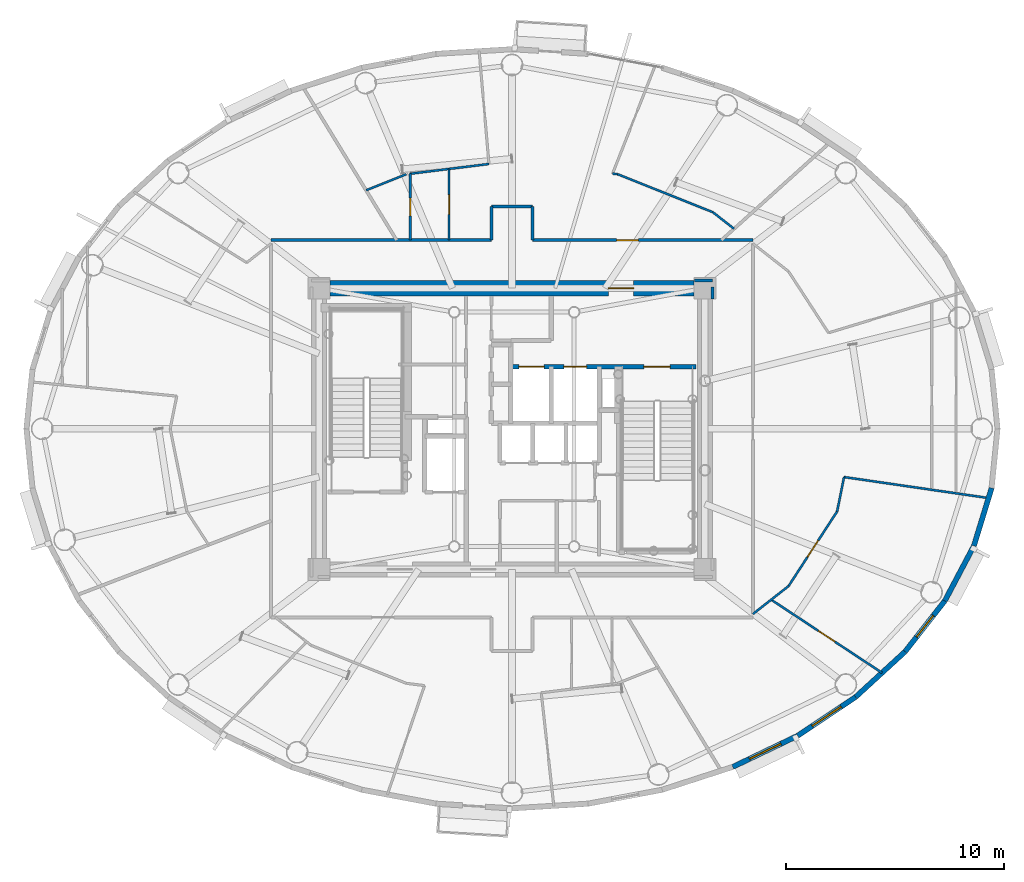
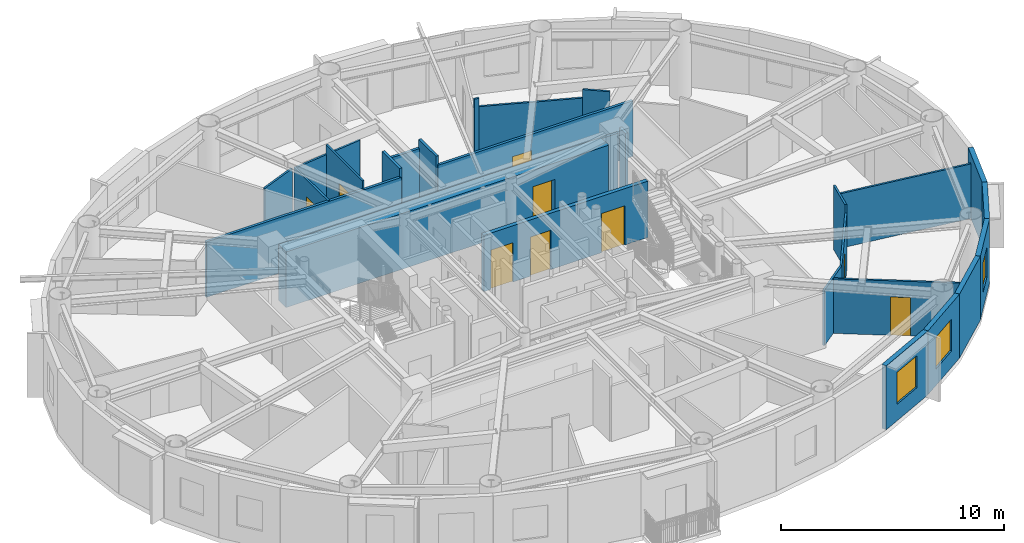
# One storey, part 10 of 20: 27 walls, 9 doors, 3 windows, 12 openings.
"""IFC4 building model written with IfcOpenShell, lengths in metres."""

from ifc_helpers import new_model, si_unit, direction, frame, frame_2d, origin, origin_2d, place, context, subcontext, project, spatial, rectangle, extrude, source, transform, mapped, material, layer, layer_set, type_object, element, fill, save


model = new_model("IFC4")

# Units and contexts
model_context = context("Model", 3, precision=1e-05, world=origin(), true_north=direction((0.0, 1.0)))
body_context = subcontext(model_context, "Body", "Model", "MODEL_VIEW")
ifc_project = project(units=[si_unit("LENGTHUNIT", "METRE"), si_unit("AREAUNIT", "SQUARE_METRE"), si_unit("VOLUMEUNIT", "CUBIC_METRE"), si_unit("PLANEANGLEUNIT", "RADIAN"), si_unit("MASSUNIT", "GRAM", prefix="KILO")], contexts=[model_context])

# Site, building, storey
site_placement = place(None, origin())
site = spatial("IfcSite", under=ifc_project, at=site_placement, CompositionType="ELEMENT")
building_placement = place(site_placement, origin())
building = spatial("IfcBuilding", under=site, at=building_placement, Name="Linh Dai School and Residence Tower", CompositionType="ELEMENT")
storey_placement = place(building_placement, frame((0.0, 0.0, 288.0)))
storey = spatial("IfcBuildingStorey", under=building, at=storey_placement, Name="L71", CompositionType="ELEMENT", Elevation=288.0)

# Wall, opening, window
ifc_material_1 = material(Name="Precast Concrete B45 (C35/45)", Category="concrete")
ifc_layer_1 = layer(ifc_material_1, 0.239990234375)
ifc_layer_set_1 = layer_set([ifc_layer_1], Name="Precast Concrete B45 (C35/45)")
wall_type_1 = type_object("IfcWallType", Name="EW-TC-240", PredefinedType="SOLIDWALL", material=ifc_layer_set_1)
wall_1_placement = place(storey_placement, frame((49.1044921875, 12.91845703125, 0.0), z_axis=(0.0, 0.0, 1.0), x_axis=(-0.901573741254, -0.43262546051, 0.0)))
wall_1 = element("IfcWall", 1, at=wall_1_placement, inside=storey, type_object=wall_type_1, Name="L71 Terracotta Exterior Wall 34", PredefinedType="SOLIDWALL", context=body_context, shape_type="SweptSolid", body=[
    extrude(rectangle(XDim=3.306884765625, YDim=0.239990234375, at=frame_2d((1.6533203125, 0.0))), origin(), (0.0, 0.0, 1.0), 3.5),
])
opening_1_placement = place(wall_1_placement, frame((0.853515625, 0.0, 0.89990234375)))
opening_1 = element("IfcOpeningElement", 2, at=opening_1_placement, cuts=wall_1, Name="Opening W2", PredefinedType="OPENING", context=body_context, shape_type="SweptSolid", body=[
    extrude(rectangle(XDim=1.60009765625, YDim=1.75, at=origin_2d()), frame((0.800048828125, 0.1298828125, 0.875), z_axis=(0.0, -1.0, 0.0), x_axis=(1.0, 0.0, 0.0)), (0.0, 0.0, 1.0), 0.260009765625),
])
ifc_material_2 = material(Name="Double Low-E Insulated Glazing", Category="glass")
window_type_1 = type_object("IfcWindowType", Name="WN-RES-1600x1750", PartitioningType="DOUBLE_PANEL_VERTICAL", PredefinedType="WINDOW", material=ifc_material_2)
shared_shape_1 = source(origin(), body_context, "Body", "SweptSolid", [
    extrude(rectangle(XDim=1.60009765625, YDim=1.75, at=origin_2d()), frame((0.800048828125, 0.030029296875, 0.875), z_axis=(0.0, -1.0, 0.0), x_axis=(1.0, 0.0, 0.0)), (0.0, 0.0, 1.0), 0.06005859375),
])
window_1_placement = place(opening_1_placement, origin())
window_1 = element("IfcWindow", 3, at=window_1_placement, inside=storey, type_object=window_type_1, Name="L71 Exterior Window 34.1", OverallHeight=1.75, OverallWidth=1.60009765625, PartitioningType="DOUBLE_PANEL_VERTICAL", PredefinedType="WINDOW", context=body_context, shape_type="MappedRepresentation", body=[
    mapped(shared_shape_1, transform((0.0, 0.0, 0.0), x_axis=(1.0, 0.0, 0.0), y_axis=(0.0, 1.0, 0.0), z_axis=(0.0, 0.0, 1.0), scale=1.0)),
])
fill(opening_1, window_1)

wall_2_placement = place(storey_placement, frame((51.76220703125, 14.69580078125, 0.0), z_axis=(0.0, 0.0, 1.0), x_axis=(-0.831250592635, -0.55589787933, 0.0)))
wall_2 = element("IfcWall", 4, at=wall_2_placement, inside=storey, type_object=wall_type_1, Name="L71 Terracotta Exterior Wall 35", PredefinedType="SOLIDWALL", context=body_context, shape_type="SweptSolid", body=[
    extrude(rectangle(XDim=3.197265625, YDim=0.239990234375, at=frame_2d((1.5986328125, 0.0))), origin(), (0.0, 0.0, 1.0), 3.5),
])
opening_2_placement = place(wall_2_placement, frame((0.798583984375, 0.0, 0.89990234375)))
opening_2 = element("IfcOpeningElement", 5, at=opening_2_placement, cuts=wall_2, Name="Opening W2", PredefinedType="OPENING", context=body_context, shape_type="SweptSolid", body=[
    extrude(rectangle(XDim=1.60009765625, YDim=1.75, at=origin_2d()), frame((0.800048828125, 0.1298828125, 0.875), z_axis=(0.0, -1.0, 0.0), x_axis=(1.0, 0.0, 0.0)), (0.0, 0.0, 1.0), 0.260009765625),
])
window_2_placement = place(opening_2_placement, origin())
window_2 = element("IfcWindow", 6, at=window_2_placement, inside=storey, type_object=window_type_1, Name="L71 Exterior Window 35.1", OverallHeight=1.75, OverallWidth=1.60009765625, PartitioningType="DOUBLE_PANEL_VERTICAL", PredefinedType="WINDOW", context=body_context, shape_type="MappedRepresentation", body=[
    mapped(shared_shape_1, transform((0.0, 0.0, 0.0), x_axis=(1.0, 0.0, 0.0), y_axis=(0.0, 1.0, 0.0), z_axis=(0.0, 0.0, 1.0), scale=1.0)),
])
fill(opening_2, window_2)

# Wall
wall_3_placement = place(storey_placement, frame((54.0302734375, 16.775390625, 0.0), z_axis=(0.0, 0.0, 1.0), x_axis=(-0.737068506972, -0.675818034703, 0.0)))
element("IfcWall", 7, at=wall_3_placement, inside=storey, type_object=wall_type_1, Name="L71 Terracotta Exterior Wall 36", PredefinedType="SOLIDWALL", context=body_context, shape_type="SweptSolid", body=[
    extrude(rectangle(XDim=3.0771484375, YDim=0.239990234375, at=frame_2d((1.53857421875, 0.0))), origin(), (0.0, 0.0, 1.0), 3.5),
])

# Wall, opening, window
wall_4_placement = place(storey_placement, frame((55.853759765625, 19.105224609375, 0.0), z_axis=(0.0, 0.0, 1.0), x_axis=(-0.616337186556, -0.787482363275, 0.0)))
wall_4 = element("IfcWall", 8, at=wall_4_placement, inside=storey, type_object=wall_type_1, Name="L71 Terracotta Exterior Wall 37", PredefinedType="SOLIDWALL", context=body_context, shape_type="SweptSolid", body=[
    extrude(rectangle(XDim=2.95849609375, YDim=0.239990234375, at=frame_2d((1.479248046875, 0.0))), origin(), (0.0, 0.0, 1.0), 3.5),
])
opening_3_placement = place(wall_4_placement, frame((0.8544921875, 0.0, 0.89990234375)))
opening_3 = element("IfcOpeningElement", 9, at=opening_3_placement, cuts=wall_4, Name="Opening W3", PredefinedType="OPENING", context=body_context, shape_type="SweptSolid", body=[
    extrude(rectangle(XDim=1.25, YDim=1.64990234375, at=origin_2d()), frame((0.625, 0.1298828125, 0.824951171875), z_axis=(0.0, -1.0, 0.0), x_axis=(1.0, 0.0, 0.0)), (0.0, 0.0, 1.0), 0.260009765625),
])
window_type_2 = type_object("IfcWindowType", Name="WN-RES-1250x1650", PartitioningType="SINGLE_PANEL", PredefinedType="WINDOW", material=ifc_material_2)
shared_shape_2 = source(origin(), body_context, "Body", "SweptSolid", [
    extrude(rectangle(XDim=1.25, YDim=1.64990234375, at=origin_2d()), frame((0.625, 0.030029296875, 0.824951171875), z_axis=(0.0, -1.0, 0.0), x_axis=(1.0, 0.0, 0.0)), (0.0, 0.0, 1.0), 0.06005859375),
])
window_3_placement = place(opening_3_placement, origin())
window_3 = element("IfcWindow", 10, at=window_3_placement, inside=storey, type_object=window_type_2, Name="L71 Exterior Window 37.1", OverallHeight=1.64990234375, OverallWidth=1.25, PartitioningType="SINGLE_PANEL", PredefinedType="WINDOW", context=body_context, shape_type="MappedRepresentation", body=[
    mapped(shared_shape_2, transform((0.0, 0.0, 0.0), x_axis=(1.0, 0.0, 0.0), y_axis=(0.0, 1.0, 0.0), z_axis=(0.0, 0.0, 1.0), scale=1.0)),
])
fill(opening_3, window_3)

# Walls
wall_5_placement = place(storey_placement, frame((57.188232421875, 21.627685546875, 0.0), z_axis=(0.0, 0.0, 1.0), x_axis=(-0.467628269026, -0.883925224218, 0.0)))
element("IfcWall", 11, at=wall_5_placement, inside=storey, type_object=wall_type_1, Name="L71 Terracotta Exterior Wall 38", PredefinedType="SOLIDWALL", context=body_context, shape_type="SweptSolid", body=[
    extrude(rectangle(XDim=2.853759765625, YDim=0.239990234375, at=frame_2d((1.4267578125, 0.0))), origin(), (0.0, 0.0, 1.0), 3.5),
])
wall_6_placement = place(storey_placement, frame((58.001708984375, 24.281005859375, 0.0), z_axis=(0.0, 0.0, 1.0), x_axis=(-0.2931213403, -0.956075248012, 0.0)))
element("IfcWall", 12, at=wall_6_placement, inside=storey, type_object=wall_type_1, Name="L71 Terracotta Exterior Wall 39", PredefinedType="SOLIDWALL", context=body_context, shape_type="SweptSolid", body=[
    extrude(rectangle(XDim=2.775146484375, YDim=0.239990234375, at=frame_2d((1.3876953125, 0.0))), origin(), (0.0, 0.0, 1.0), 3.5),
])
ifc_material_3 = material(Name="Autoclaved Aerated Concrete Blockwork", Category="masonry")
ifc_layer_2 = layer(ifc_material_3, 0.135009765625)
ifc_layer_set_2 = layer_set([ifc_layer_2], Name="Autoclaved Aerated Concrete Blockwork")
wall_type_2 = type_object("IfcWallType", Name="IW-CORR-135-EI90", PredefinedType="PARTITIONING", material=ifc_layer_set_2)
wall_7_placement = place(storey_placement, frame((24.949951171875, 35.64990234375, 0.0), z_axis=(0.0, 0.0, 1.0), x_axis=(1.0, 0.0, 0.0)))
element("IfcWall", 13, at=wall_7_placement, inside=storey, type_object=wall_type_2, Name="L71 Interior Partition Wall 013", PredefinedType="PARTITIONING", context=body_context, shape_type="SweptSolid", body=[
    extrude(rectangle(XDim=10.10009765625, YDim=0.135009765625, at=frame_2d((5.050048828125, 0.0))), origin(), (0.0, 0.0, 1.0), 3.034912109375),
])
wall_8_placement = place(storey_placement, frame((35.050048828125, 35.64990234375, 0.0), z_axis=(0.0, 0.0, 1.0), x_axis=(0.0, 1.0, 0.0)))
element("IfcWall", 14, at=wall_8_placement, inside=storey, type_object=wall_type_2, Name="L71 Interior Partition Wall 041", PredefinedType="PARTITIONING", context=body_context, shape_type="SweptSolid", body=[
    extrude(rectangle(XDim=1.550048828125, YDim=0.135009765625, at=frame_2d((0.77490234375, 0.0))), origin(), (0.0, 0.0, 1.0), 3.5),
])
wall_9_placement = place(storey_placement, frame((35.050048828125, 37.199951171875, 0.0), z_axis=(0.0, 0.0, 1.0), x_axis=(1.0, 0.0, 0.0)))
element("IfcWall", 15, at=wall_9_placement, inside=storey, type_object=wall_type_2, Name="L71 Interior Partition Wall 042", PredefinedType="PARTITIONING", context=body_context, shape_type="SweptSolid", body=[
    extrude(rectangle(XDim=1.89990234375, YDim=0.135009765625, at=frame_2d((0.949951171875, 0.0))), origin(), (0.0, 0.0, 1.0), 3.034912109375),
])
wall_10_placement = place(storey_placement, frame((36.949951171875, 35.64990234375, 0.0), z_axis=(0.0, 0.0, 1.0), x_axis=(0.0, 1.0, 0.0)))
element("IfcWall", 16, at=wall_10_placement, inside=storey, type_object=wall_type_2, Name="L71 Interior Partition Wall 052", PredefinedType="PARTITIONING", context=body_context, shape_type="SweptSolid", body=[
    extrude(rectangle(XDim=1.550048828125, YDim=0.135009765625, at=frame_2d((0.77490234375, 0.0))), origin(), (0.0, 0.0, 1.0), 3.5),
])

# Wall, opening, door
wall_11_placement = place(storey_placement, frame((36.949951171875, 35.64990234375, 0.0), z_axis=(0.0, 0.0, 1.0), x_axis=(1.0, 0.0, 0.0)))
wall_11 = element("IfcWall", 17, at=wall_11_placement, inside=storey, type_object=wall_type_2, Name="L71 Interior Partition Wall 053", PredefinedType="PARTITIONING", context=body_context, shape_type="SweptSolid", body=[
    extrude(rectangle(XDim=10.10009765625, YDim=0.135009765625, at=frame_2d((5.050048828125, 0.0))), origin(), (0.0, 0.0, 1.0), 3.034912109375),
])
opening_4_placement = place(wall_11_placement, frame((3.848388671875, 0.0, 0.0)))
opening_4 = element("IfcOpeningElement", 18, at=opening_4_placement, cuts=wall_11, Name="Opening D03", PredefinedType="OPENING", context=body_context, shape_type="SweptSolid", body=[
    extrude(rectangle(XDim=1.0, YDim=2.14990234375, at=origin_2d()), frame((0.5, 0.07763671875, 1.074951171875), z_axis=(0.0, -1.0, 0.0), x_axis=(1.0, 0.0, 0.0)), (0.0, 0.0, 1.0), 0.155029296875),
])
ifc_material_4 = material(Name="Fire-Rated Solid Timber Entrance Door", Category="wood")
door_type_1 = type_object("IfcDoorType", Name="DR-FLAT-1000x2150-FD60S", OperationType="NOTDEFINED", PredefinedType="DOOR", material=ifc_material_4)
shared_shape_3 = source(origin(), body_context, "Body", "SweptSolid", [
    extrude(rectangle(XDim=1.0, YDim=2.14990234375, at=origin_2d()), frame((0.5, 0.02490234375, 1.074951171875), z_axis=(0.0, -1.0, 0.0), x_axis=(1.0, 0.0, 0.0)), (0.0, 0.0, 1.0), 0.050048828125),
])
door_1_placement = place(opening_4_placement, origin())
door_1 = element("IfcDoor", 19, at=door_1_placement, inside=storey, type_object=door_type_1, Name="L71 U7101 Apartment Entrance Door", OperationType="SINGLE_SWING_LEFT", OverallHeight=2.14990234375, OverallWidth=1.0, PredefinedType="DOOR", context=body_context, shape_type="MappedRepresentation", body=[
    mapped(shared_shape_3, transform((0.0, 0.0, 0.0), x_axis=(1.0, 0.0, 0.0), y_axis=(0.0, 1.0, 0.0), z_axis=(0.0, 0.0, 1.0), scale=1.0)),
])
fill(opening_4, door_1)

# Walls
wall_12_placement = place(storey_placement, frame((45.199951171875, 33.800048828125, 0.0), z_axis=(0.0, 0.0, 1.0), x_axis=(-1.0, 0.0, 0.0)))
element("IfcWall", 20, at=wall_12_placement, inside=storey, type_object=wall_type_2, Name="L71 Interior Partition Wall 089", PredefinedType="PARTITIONING", context=body_context, shape_type="SweptSolid", body=[
    extrude(rectangle(XDim=0.83984375, YDim=0.135009765625, at=frame_2d((0.419921875, 0.0))), origin(), (0.0, 0.0, 1.0), 3.034912109375),
])
wall_13_placement = place(storey_placement, frame((45.199951171875, 32.9599609375, 0.0), z_axis=(0.0, 0.0, 1.0), x_axis=(0.0, 1.0, 0.0)))
element("IfcWall", 21, at=wall_13_placement, inside=storey, type_object=wall_type_2, Name="L71 Interior Partition Wall 096", PredefinedType="PARTITIONING", context=body_context, shape_type="SweptSolid", body=[
    extrude(rectangle(XDim=0.532470703125, YDim=0.135009765625, at=frame_2d((0.26611328125, 0.0))), origin(), (0.0, 0.0, 1.0), 3.5),
])

# Wall, openings, doors
ifc_material_5 = material(Name="Concrete B45 (C35/45)", Category="concrete")
ifc_layer_3 = layer(ifc_material_5, 0.199951171875)
ifc_layer_set_3 = layer_set([ifc_layer_3], Name="Concrete B45 (C35/45)")
wall_type_3 = type_object("IfcWallType", Name="IW-SHAFT-200-EI120", PredefinedType="PARTITIONING", material=ifc_layer_set_3)
wall_14_placement = place(storey_placement, frame((35.949951171875, 29.85009765625, 0.0), z_axis=(0.0, 0.0, 1.0), x_axis=(1.0, 0.0, 0.0)))
wall_14 = element("IfcWall", 22, at=wall_14_placement, inside=storey, type_object=wall_type_3, Name="L71 Interior Partition Wall 048", PredefinedType="PARTITIONING", context=body_context, shape_type="SweptSolid", body=[
    extrude(rectangle(XDim=8.489990234375, YDim=0.199951171875, at=frame_2d((4.2451171875, 0.0))), origin(), (0.0, 0.0, 1.0), 3.0849609375),
])
opening_5_placement = place(wall_14_placement, frame((6.10009765625, 0.0, 0.0)))
opening_5 = element("IfcOpeningElement", 23, at=opening_5_placement, cuts=wall_14, Name="Opening D01", PredefinedType="OPENING", context=body_context, shape_type="SweptSolid", body=[
    extrude(rectangle(XDim=1.199951171875, YDim=2.14990234375, at=origin_2d()), frame((0.60009765625, 0.10986328125, 1.074951171875), z_axis=(0.0, -1.0, 0.0), x_axis=(1.0, 0.0, 0.0)), (0.0, 0.0, 1.0), 0.219970703125),
])
opening_6_placement = place(wall_14_placement, frame((0.3701171875, 0.0, 0.0)))
opening_6 = element("IfcOpeningElement", 24, at=opening_6_placement, cuts=wall_14, Name="Opening LD-FF1", PredefinedType="OPENING", context=body_context, shape_type="SweptSolid", body=[
    extrude(rectangle(XDim=1.14990234375, YDim=2.14990234375, at=origin_2d()), frame((0.574951171875, 0.10986328125, 1.074951171875), z_axis=(0.0, -1.0, 0.0), x_axis=(1.0, 0.0, 0.0)), (0.0, 0.0, 1.0), 0.219970703125),
])
opening_7_placement = place(wall_14_placement, frame((2.425048828125, 0.0, 0.0)))
opening_7 = element("IfcOpeningElement", 25, at=opening_7_placement, cuts=wall_14, Name="Opening LD-SV1", PredefinedType="OPENING", context=body_context, shape_type="SweptSolid", body=[
    extrude(rectangle(XDim=1.050048828125, YDim=2.14990234375, at=origin_2d()), frame((0.52490234375, 0.10986328125, 1.074951171875), z_axis=(0.0, -1.0, 0.0), x_axis=(1.0, 0.0, 0.0)), (0.0, 0.0, 1.0), 0.219970703125),
])
ifc_material_6 = material(Name="Fire-Rated Steel Door Leaf", Category="steel")
door_type_2 = type_object("IfcDoorType", Name="DR-STAIR-1200x2150-FD90S", OperationType="NOTDEFINED", PredefinedType="DOOR", material=ifc_material_6)
shared_shape_4 = source(origin(), body_context, "Body", "SweptSolid", [
    extrude(rectangle(XDim=1.199951171875, YDim=2.14990234375, at=origin_2d()), frame((0.60009765625, 0.02490234375, 1.074951171875), z_axis=(0.0, -1.0, 0.0), x_axis=(1.0, 0.0, 0.0)), (0.0, 0.0, 1.0), 0.050048828125),
])
door_2_placement = place(opening_5_placement, origin())
door_2 = element("IfcDoor", 26, at=door_2_placement, inside=storey, type_object=door_type_2, Name="L71 Core Smokeproof Exit Stair ST2 Door", OperationType="SINGLE_SWING_RIGHT", OverallHeight=2.14990234375, OverallWidth=1.199951171875, PredefinedType="DOOR", context=body_context, shape_type="MappedRepresentation", body=[
    mapped(shared_shape_4, transform((0.0, 0.0, 0.0), x_axis=(1.0, 0.0, 0.0), y_axis=(0.0, 1.0, 0.0), z_axis=(0.0, 0.0, 1.0), scale=1.0)),
])
fill(opening_5, door_2)
ifc_material_7 = material(Name="Fire-Rated Stainless Steel Firefighting Lift Door", Category="steel")
door_type_3 = type_object("IfcDoorType", Name="DR-LD-FF-1150x2150-FD120", OperationType="DOUBLE_DOOR_SLIDING", PredefinedType="USERDEFINED", material=ifc_material_7)
shared_shape_5 = source(origin(), body_context, "Body", "SweptSolid", [
    extrude(rectangle(XDim=1.14990234375, YDim=2.14990234375, at=origin_2d()), frame((0.574951171875, 0.02490234375, 1.074951171875), z_axis=(0.0, -1.0, 0.0), x_axis=(1.0, 0.0, 0.0)), (0.0, 0.0, 1.0), 0.050048828125),
])
door_3_placement = place(opening_6_placement, origin())
door_3 = element("IfcDoor", 27, at=door_3_placement, inside=storey, type_object=door_type_3, Name="L71 Lift FF1 Sliding Landing Door", ObjectType="LANDING DOOR", OperationType="DOUBLE_DOOR_SLIDING", OverallHeight=2.14990234375, OverallWidth=1.14990234375, PredefinedType="USERDEFINED", context=body_context, shape_type="MappedRepresentation", body=[
    mapped(shared_shape_5, transform((0.0, 0.0, 0.0), x_axis=(1.0, 0.0, 0.0), y_axis=(0.0, 1.0, 0.0), z_axis=(0.0, 0.0, 1.0), scale=1.0)),
])
fill(opening_6, door_3)
ifc_material_8 = material(Name="Brushed Stainless Steel Lift Landing Door", Category="steel")
door_type_4 = type_object("IfcDoorType", Name="DR-LD-PASS-1050x2150", OperationType="DOUBLE_DOOR_SLIDING", PredefinedType="USERDEFINED", material=ifc_material_8)
shared_shape_6 = source(origin(), body_context, "Body", "SweptSolid", [
    extrude(rectangle(XDim=1.050048828125, YDim=2.14990234375, at=origin_2d()), frame((0.52490234375, 0.02490234375, 1.074951171875), z_axis=(0.0, -1.0, 0.0), x_axis=(1.0, 0.0, 0.0)), (0.0, 0.0, 1.0), 0.050048828125),
])
door_4_placement = place(opening_7_placement, origin())
door_4 = element("IfcDoor", 28, at=door_4_placement, inside=storey, type_object=door_type_4, Name="L71 Lift SV1 Sliding Landing Door", ObjectType="LANDING DOOR", OperationType="DOUBLE_DOOR_SLIDING", OverallHeight=2.14990234375, OverallWidth=1.050048828125, PredefinedType="USERDEFINED", context=body_context, shape_type="MappedRepresentation", body=[
    mapped(shared_shape_6, transform((0.0, 0.0, 0.0), x_axis=(1.0, 0.0, 0.0), y_axis=(0.0, 1.0, 0.0), z_axis=(0.0, 0.0, 1.0), scale=1.0)),
])
fill(opening_7, door_4)

# Wall
ifc_material_9 = material(Name="Gypsum Plasterboard Acoustic Stud Partition", Category="masonry")
ifc_layer_4 = layer(ifc_material_9, 0.10009765625)
ifc_layer_set_4 = layer_set([ifc_layer_4], Name="Gypsum Plasterboard Acoustic Stud Partition")
wall_type_4 = type_object("IfcWallType", Name="IW-UNIT-100", PredefinedType="PARTITIONING", material=ifc_layer_set_4)
wall_15_placement = place(storey_placement, frame((29.306640625, 37.939697265625, 0.0), z_axis=(0.0, 0.0, 1.0), x_axis=(0.928797929692, 0.370586569913, 0.0)))
element("IfcWall", 29, at=wall_15_placement, inside=storey, type_object=wall_type_4, Name="L71 Interior Partition Wall 018", PredefinedType="PARTITIONING", context=body_context, shape_type="SweptSolid", body=[
    extrude(rectangle(XDim=1.989501953125, YDim=0.10009765625, at=frame_2d((0.99462890625, 0.0))), origin(), (0.0, 0.0, 1.0), 3.034912109375),
])

# Wall, opening, door
wall_16_placement = place(storey_placement, frame((31.33251953125, 35.64990234375, 0.0), z_axis=(0.0, 0.0, 1.0), x_axis=(0.0, 1.0, 0.0)))
wall_16 = element("IfcWall", 30, at=wall_16_placement, inside=storey, type_object=wall_type_4, Name="L71 Interior Partition Wall 024", PredefinedType="PARTITIONING", context=body_context, shape_type="SweptSolid", body=[
    extrude(rectangle(XDim=3.04931640625, YDim=0.10009765625, at=frame_2d((1.524658203125, 0.0))), origin(), (0.0, 0.0, 1.0), 3.034912109375),
])
opening_8_placement = place(wall_16_placement, frame((1.114501953125, 0.0, 0.0)))
opening_8 = element("IfcOpeningElement", 31, at=opening_8_placement, cuts=wall_16, Name="Opening D06", PredefinedType="OPENING", context=body_context, shape_type="SweptSolid", body=[
    extrude(rectangle(XDim=0.820068359375, YDim=2.10009765625, at=origin_2d()), frame((0.41015625, 0.06005859375, 1.050048828125), z_axis=(0.0, -1.0, 0.0), x_axis=(1.0, 0.0, 0.0)), (0.0, 0.0, 1.0), 0.1201171875),
])
ifc_material_10 = material(Name="Moisture-Resistant Timber Bathroom Door", Category="wood")
door_type_5 = type_object("IfcDoorType", Name="DR-WET-820x2100", OperationType="NOTDEFINED", PredefinedType="DOOR", material=ifc_material_10)
shared_shape_7 = source(origin(), body_context, "Body", "SweptSolid", [
    extrude(rectangle(XDim=0.820068359375, YDim=2.10009765625, at=origin_2d()), frame((0.41015625, 0.02490234375, 1.050048828125), z_axis=(0.0, -1.0, 0.0), x_axis=(1.0, 0.0, 0.0)), (0.0, 0.0, 1.0), 0.050048828125),
])
door_5_placement = place(opening_8_placement, origin())
door_5 = element("IfcDoor", 32, at=door_5_placement, inside=storey, type_object=door_type_5, Name="L71 Apartment U7101 Bathroom 1 Door", OperationType="SINGLE_SWING_LEFT", OverallHeight=2.10009765625, OverallWidth=0.820068359375, PredefinedType="DOOR", context=body_context, shape_type="MappedRepresentation", body=[
    mapped(shared_shape_7, transform((0.0, 0.0, 0.0), x_axis=(1.0, 0.0, 0.0), y_axis=(0.0, 1.0, 0.0), z_axis=(0.0, 0.0, 1.0), scale=1.0)),
])
fill(opening_8, door_5)

# Wall
wall_17_placement = place(storey_placement, frame((31.33251953125, 38.69921875, 0.0), z_axis=(0.0, 0.0, 1.0), x_axis=(0.992398193069, 0.123068380965, 0.0)))
element("IfcWall", 33, at=wall_17_placement, inside=storey, type_object=wall_type_4, Name="L71 Interior Partition Wall 025", PredefinedType="PARTITIONING", context=body_context, shape_type="SweptSolid", body=[
    extrude(rectangle(XDim=3.63818359375, YDim=0.10009765625, at=frame_2d((1.819091796875, 0.0))), origin(), (0.0, 0.0, 1.0), 2.985107421875),
])

# Wall, opening, door
wall_18_placement = place(storey_placement, frame((33.114990234375, 35.64990234375, 0.0), z_axis=(0.0, 0.0, 1.0), x_axis=(0.0, 1.0, 0.0)))
wall_18 = element("IfcWall", 34, at=wall_18_placement, inside=storey, type_object=wall_type_4, Name="L71 Interior Partition Wall 029", PredefinedType="PARTITIONING", context=body_context, shape_type="SweptSolid", body=[
    extrude(rectangle(XDim=3.270263671875, YDim=0.10009765625, at=frame_2d((1.63525390625, 0.0))), origin(), (0.0, 0.0, 1.0), 3.5),
])
opening_9_placement = place(wall_18_placement, frame((1.18505859375, 0.0, 0.0)))
opening_9 = element("IfcOpeningElement", 35, at=opening_9_placement, cuts=wall_18, Name="Opening D05", PredefinedType="OPENING", context=body_context, shape_type="SweptSolid", body=[
    extrude(rectangle(XDim=0.89990234375, YDim=2.10009765625, at=origin_2d()), frame((0.449951171875, 0.06005859375, 1.050048828125), z_axis=(0.0, -1.0, 0.0), x_axis=(1.0, 0.0, 0.0)), (0.0, 0.0, 1.0), 0.1201171875),
])
ifc_material_11 = material(Name="Engineered Timber Internal Door", Category="wood")
door_type_6 = type_object("IfcDoorType", Name="DR-INT-900x2100", OperationType="NOTDEFINED", PredefinedType="DOOR", material=ifc_material_11)
shared_shape_8 = source(origin(), body_context, "Body", "SweptSolid", [
    extrude(rectangle(XDim=0.89990234375, YDim=2.10009765625, at=origin_2d()), frame((0.449951171875, 0.02490234375, 1.050048828125), z_axis=(0.0, -1.0, 0.0), x_axis=(1.0, 0.0, 0.0)), (0.0, 0.0, 1.0), 0.050048828125),
])
door_6_placement = place(opening_9_placement, origin())
door_6 = element("IfcDoor", 36, at=door_6_placement, inside=storey, type_object=door_type_6, Name="L71 Apartment U7101 Kitchen Door", OperationType="SINGLE_SWING_RIGHT", OverallHeight=2.10009765625, OverallWidth=0.89990234375, PredefinedType="DOOR", context=body_context, shape_type="MappedRepresentation", body=[
    mapped(shared_shape_8, transform((0.0, 0.0, 0.0), x_axis=(1.0, 0.0, 0.0), y_axis=(0.0, 1.0, 0.0), z_axis=(0.0, 0.0, 1.0), scale=1.0)),
])
fill(opening_9, door_6)

# Walls
wall_19_placement = place(storey_placement, frame((40.6142578125, 38.705810546875, 0.0), z_axis=(0.0, 0.0, 1.0), x_axis=(0.992326164187, -0.123647821937, 0.0)))
element("IfcWall", 37, at=wall_19_placement, inside=storey, type_object=wall_type_4, Name="L71 Interior Partition Wall 067", PredefinedType="PARTITIONING", context=body_context, shape_type="SweptSolid", body=[
    extrude(rectangle(XDim=0.23291015625, YDim=0.10009765625, at=frame_2d((0.116455078125, 0.0))), origin(), (0.0, 0.0, 1.0), 3.5),
])
wall_20_placement = place(storey_placement, frame((40.845458984375, 38.677001953125, 0.0), z_axis=(0.0, 0.0, 1.0), x_axis=(0.928809047774, -0.370558703544, 0.0)))
element("IfcWall", 38, at=wall_20_placement, inside=storey, type_object=wall_type_4, Name="L71 Interior Partition Wall 070", PredefinedType="PARTITIONING", context=body_context, shape_type="SweptSolid", body=[
    extrude(rectangle(XDim=4.7060546875, YDim=0.10009765625, at=frame_2d((2.35302734375, 0.0))), origin(), (0.0, 0.0, 1.0), 3.034912109375),
])
wall_21_placement = place(storey_placement, frame((45.216552734375, 36.93310546875, 0.0), z_axis=(0.0, 0.0, 1.0), x_axis=(0.787354580016, -0.616500417946, 0.0)))
element("IfcWall", 39, at=wall_21_placement, inside=storey, type_object=wall_type_4, Name="L71 Interior Partition Wall 074", PredefinedType="PARTITIONING", context=body_context, shape_type="SweptSolid", body=[
    extrude(rectangle(XDim=1.233154296875, YDim=0.10009765625, at=frame_2d((0.61669921875, 0.0))), origin(), (0.0, 0.0, 1.0), 3.5),
])
wall_22_placement = place(storey_placement, frame((47.050048828125, 18.502685546875, 0.0), z_axis=(0.0, 0.0, 1.0), x_axis=(0.787328855274, 0.616533270516, 0.0)))
element("IfcWall", 40, at=wall_22_placement, inside=storey, type_object=wall_type_4, Name="L71 Interior Partition Wall 077", PredefinedType="PARTITIONING", context=body_context, shape_type="SweptSolid", body=[
    extrude(rectangle(XDim=2.076904296875, YDim=0.10009765625, at=frame_2d((1.03857421875, 0.0))), origin(), (0.0, 0.0, 1.0), 3.034912109375),
])

# Wall, opening, door
wall_23_placement = place(storey_placement, frame((47.888671875, 19.1591796875, 0.0), z_axis=(0.0, 0.0, 1.0), x_axis=(0.834800486956, -0.550552583299, 0.0)))
wall_23 = element("IfcWall", 41, at=wall_23_placement, inside=storey, type_object=wall_type_4, Name="L71 Interior Partition Wall 079", PredefinedType="PARTITIONING", context=body_context, shape_type="SweptSolid", body=[
    extrude(rectangle(XDim=6.095703125, YDim=0.10009765625, at=frame_2d((3.0478515625, 0.0))), origin(), (0.0, 0.0, 1.0), 2.985107421875),
])
opening_10_placement = place(wall_23_placement, frame((2.597900390625, 0.0, 0.0)))
opening_10 = element("IfcOpeningElement", 42, at=opening_10_placement, cuts=wall_23, Name="Opening D05", PredefinedType="OPENING", context=body_context, shape_type="SweptSolid", body=[
    extrude(rectangle(XDim=0.89990234375, YDim=2.10009765625, at=origin_2d()), frame((0.449951171875, 0.06005859375, 1.050048828125), z_axis=(0.0, -1.0, 0.0), x_axis=(1.0, 0.0, 0.0)), (0.0, 0.0, 1.0), 0.1201171875),
])
door_7_placement = place(opening_10_placement, origin())
door_7 = element("IfcDoor", 43, at=door_7_placement, inside=storey, type_object=door_type_6, Name="L71 Apartment U7104 Principal Bedroom 1 Door", OperationType="SINGLE_SWING_LEFT", OverallHeight=2.10009765625, OverallWidth=0.89990234375, PredefinedType="DOOR", context=body_context, shape_type="MappedRepresentation", body=[
    mapped(shared_shape_8, transform((0.0, 0.0, 0.0), x_axis=(1.0, 0.0, 0.0), y_axis=(0.0, 1.0, 0.0), z_axis=(0.0, 0.0, 1.0), scale=1.0)),
])
fill(opening_10, door_7)

wall_24_placement = place(storey_placement, frame((48.685302734375, 19.783203125, 0.0), z_axis=(0.0, 0.0, 1.0), x_axis=(0.545435886628, 0.838152547916, 0.0)))
wall_24 = element("IfcWall", 44, at=wall_24_placement, inside=storey, type_object=wall_type_4, Name="L71 Interior Partition Wall 080", PredefinedType="PARTITIONING", context=body_context, shape_type="SweptSolid", body=[
    extrude(rectangle(XDim=4.08349609375, YDim=0.10009765625, at=frame_2d((2.041748046875, 0.0))), origin(), (0.0, 0.0, 1.0), 3.034912109375),
])
opening_11_placement = place(wall_24_placement, frame((1.591796875, 0.0, 0.0)))
opening_11 = element("IfcOpeningElement", 45, at=opening_11_placement, cuts=wall_24, Name="Opening D05", PredefinedType="OPENING", context=body_context, shape_type="SweptSolid", body=[
    extrude(rectangle(XDim=0.89990234375, YDim=2.10009765625, at=origin_2d()), frame((0.449951171875, 0.06005859375, 1.050048828125), z_axis=(0.0, -1.0, 0.0), x_axis=(1.0, 0.0, 0.0)), (0.0, 0.0, 1.0), 0.1201171875),
])
door_8_placement = place(opening_11_placement, origin())
door_8 = element("IfcDoor", 46, at=door_8_placement, inside=storey, type_object=door_type_6, Name="L71 Apartment U7104 Principal Bedroom 2 Door", OperationType="SINGLE_SWING_RIGHT", OverallHeight=2.10009765625, OverallWidth=0.89990234375, PredefinedType="DOOR", context=body_context, shape_type="MappedRepresentation", body=[
    mapped(shared_shape_8, transform((0.0, 0.0, 0.0), x_axis=(1.0, 0.0, 0.0), y_axis=(0.0, 1.0, 0.0), z_axis=(0.0, 0.0, 1.0), scale=1.0)),
])
fill(opening_11, door_8)

# Walls
wall_25_placement = place(storey_placement, frame((50.91259765625, 23.205810546875, 0.0), z_axis=(0.0, 0.0, 1.0), x_axis=(0.19824173141, 0.980153159423, 0.0)))
element("IfcWall", 47, at=wall_25_placement, inside=storey, type_object=wall_type_4, Name="L71 Interior Partition Wall 083", PredefinedType="PARTITIONING", context=body_context, shape_type="SweptSolid", body=[
    extrude(rectangle(XDim=1.612060546875, YDim=0.10009765625, at=frame_2d((0.80615234375, 0.0))), origin(), (0.0, 0.0, 1.0), 3.5),
])
wall_26_placement = place(storey_placement, frame((51.232177734375, 24.785888671875, 0.0), z_axis=(0.0, 0.0, 1.0), x_axis=(0.989599074058, -0.143852954864, 0.0)))
element("IfcWall", 48, at=wall_26_placement, inside=storey, type_object=wall_type_4, Name="L71 Interior Partition Wall 084", PredefinedType="PARTITIONING", context=body_context, shape_type="SweptSolid", body=[
    extrude(rectangle(XDim=6.703857421875, YDim=0.10009765625, at=frame_2d((3.35205078125, 0.0))), origin(), (0.0, 0.0, 1.0), 2.985107421875),
])

# Wall, opening, door
ifc_layer_5 = layer(ifc_material_5, 0.699951171875)
ifc_layer_set_5 = layer_set([ifc_layer_5], Name="Concrete B45 (C35/45)")
wall_type_5 = type_object("IfcWallType", Name="WL-CORE700", PredefinedType="SHEAR", material=ifc_layer_set_5)
wall_27_placement = place(storey_placement, frame((27.64990234375, 33.449951171875, 0.0), z_axis=(0.0, 0.0, 1.0), x_axis=(1.0, 0.0, 0.0)))
wall_27 = element("IfcWall", 49, at=wall_27_placement, inside=storey, type_object=wall_type_5, Name="L71 Central Core Shear Wall N", PredefinedType="SHEAR", context=body_context, shape_type="SweptSolid", body=[
    extrude(rectangle(XDim=16.7001953125, YDim=0.699951171875, at=frame_2d((8.35009765625, 0.0))), origin(), (0.0, 0.0, 1.0), 3.050048828125),
])
opening_12_placement = place(wall_27_placement, frame((12.77490234375, 0.0, 0.0)))
opening_12 = element("IfcOpeningElement", 50, at=opening_12_placement, cuts=wall_27, Name="Opening D02", PredefinedType="OPENING", context=body_context, shape_type="SweptSolid", body=[
    extrude(rectangle(XDim=1.14990234375, YDim=2.14990234375, at=origin_2d()), frame((0.574951171875, 0.35986328125, 1.074951171875), z_axis=(0.0, -1.0, 0.0), x_axis=(1.0, 0.0, 0.0)), (0.0, 0.0, 1.0), 0.719970703125),
])
ifc_material_12 = material(Name="Fire-Rated Glazed Steel Lobby Door", Category="steel")
door_type_7 = type_object("IfcDoorType", Name="DR-LOBBY-1150x2150-FD90S", OperationType="NOTDEFINED", PredefinedType="DOOR", material=ifc_material_12)
shared_shape_9 = source(origin(), body_context, "Body", "SweptSolid", [
    extrude(rectangle(XDim=1.14990234375, YDim=2.14990234375, at=origin_2d()), frame((0.574951171875, 0.02490234375, 1.074951171875), z_axis=(0.0, -1.0, 0.0), x_axis=(1.0, 0.0, 0.0)), (0.0, 0.0, 1.0), 0.050048828125),
])
door_9_placement = place(opening_12_placement, origin())
door_9 = element("IfcDoor", 51, at=door_9_placement, inside=storey, type_object=door_type_7, Name="L71 Firefighting Lobby Door", OperationType="SINGLE_SWING_LEFT", OverallHeight=2.14990234375, OverallWidth=1.14990234375, PredefinedType="DOOR", context=body_context, shape_type="MappedRepresentation", body=[
    mapped(shared_shape_9, transform((0.0, 0.0, 0.0), x_axis=(1.0, 0.0, 0.0), y_axis=(0.0, 1.0, 0.0), z_axis=(0.0, 0.0, 1.0), scale=1.0)),
])
fill(opening_12, door_9)

save(model, "model.ifc")
